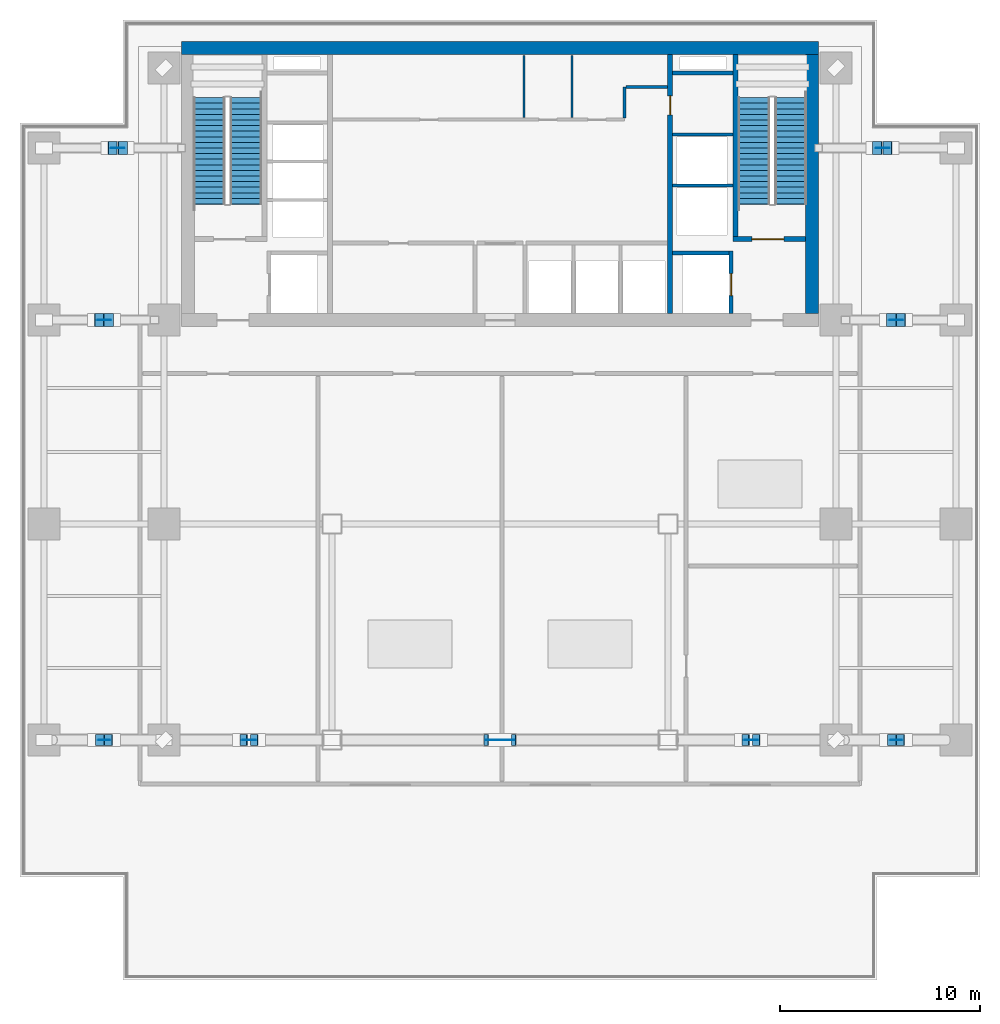
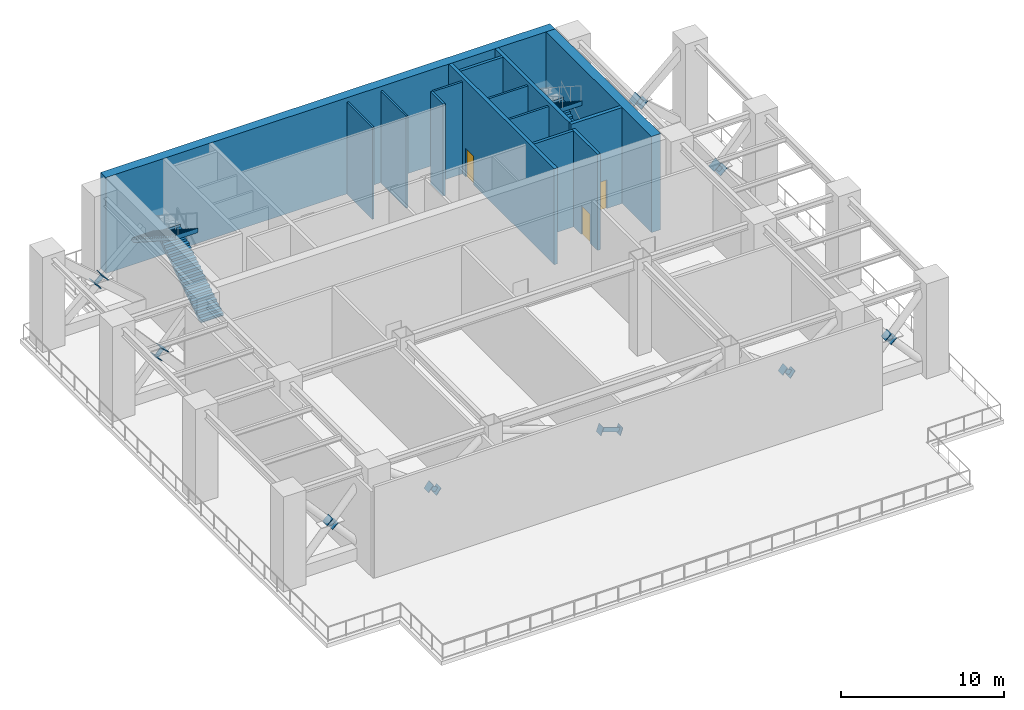
# One storey, part 4 of 8: 27 discrete accessories, 14 walls, 4 stair flights, 3 doors, 3 openings, 2 elements without a shape of their own.
"""IFC4 building model written with IfcOpenShell, lengths in metres."""

import ifcopenshell
import ifcopenshell.guid

model = None  # the IFC model being written
_history = None  # IfcOwnerHistory: only IFC2X3 demands one
_inside = {}  # id of a spatial element -> (the spatial element, [elements in it])
_under = {}  # id of a project, library or spatial element -> (it, [spatial elements below it])
_declared = {}  # id of a project -> (the project, [libraries it declares])
_typed = {}  # id of a type object -> (the type object, [elements of that type])
_made_of = {}  # id of a material, layer set ... -> (it, [elements and type objects made of it])


def new_model(schema):
    """Start an empty IFC model of exactly this schema.

    Asked for "IFC4X3", IfcOpenShell would pick the latest addendum, in which some entities
    have other attributes; the version numbers below select the first issue.
    IFC2X3 requires an IfcOwnerHistory on every rooted entity: one is made here for all.
    """
    global model, _history
    if schema == "IFC4X3":
        model = ifcopenshell.file(schema_version=(4, 3, 0, 0))
    else:
        model = ifcopenshell.file(schema=schema)
    _inside.clear()
    _under.clear()
    _declared.clear()
    _typed.clear()
    _made_of.clear()
    _history = None
    if model.schema == "IFC2X3":
        org = make("IfcOrganization", Name="unknown")
        user = make(
            "IfcPersonAndOrganization",
            ThePerson=make("IfcPerson", FamilyName="unknown"),
            TheOrganization=org,
        )
        app = make(
            "IfcApplication",
            ApplicationDeveloper=org,
            Version="unknown",
            ApplicationFullName="unknown",
            ApplicationIdentifier="unknown",
        )
        _history = make(
            "IfcOwnerHistory",
            OwningUser=user,
            OwningApplication=app,
            ChangeAction="ADDED",
            CreationDate=0,
        )
    return model


def make(cls, **values):
    """One entity of the class cls with the attributes given. An attribute that is None is left unset."""
    return model.create_entity(
        cls, **{name: value for name, value in values.items() if value is not None}
    )


def rooted(cls, **values):
    """An entity with a GlobalId (a new one), such as an element, a storey or a relation."""
    return make(cls, GlobalId=ifcopenshell.guid.new(), OwnerHistory=_history, **values)


def si_unit(unit_type, name, prefix=None):
    """IfcSIUnit, for example si_unit("LENGTHUNIT", "METRE", prefix="MILLI")."""
    return make("IfcSIUnit", UnitType=unit_type, Prefix=prefix, Name=name)


def assignment(units):
    """IfcUnitAssignment: the units of a project."""
    return None if units is None else make("IfcUnitAssignment", Units=units)


def point(xyz):
    """IfcCartesianPoint."""
    return None if xyz is None else make("IfcCartesianPoint", Coordinates=xyz)


def direction(xyz):
    """IfcDirection."""
    return None if xyz is None else make("IfcDirection", DirectionRatios=xyz)


def frame(location, z_axis=None, x_axis=None):
    """IfcAxis2Placement3D, a coordinate frame: its origin and axes. An axis left out is left unset."""
    return make(
        "IfcAxis2Placement3D",
        Location=point(location),
        Axis=direction(z_axis),
        RefDirection=direction(x_axis),
    )


def frame_2d(location, x_axis=None):
    """IfcAxis2Placement2D, a coordinate frame in the plane: its origin and x axis."""
    return make(
        "IfcAxis2Placement2D", Location=point(location), RefDirection=direction(x_axis)
    )


def origin():
    """The frame at (0, 0, 0) with its axes left unset."""
    return frame((0.0, 0.0, 0.0))


def origin_2d():
    """The frame at (0, 0) in the plane with its x axis left unset."""
    return frame_2d((0.0, 0.0))


def place(relative_to, where):
    """IfcLocalPlacement: puts the frame where relative to a parent placement (None: the world)."""
    return make(
        "IfcLocalPlacement", PlacementRelTo=relative_to, RelativePlacement=where
    )


def context(
    kind, dimensions, precision=None, world=None, true_north=None, identifier=None
):
    """IfcGeometricRepresentationContext, for example the 3D "Model" context."""
    return make(
        "IfcGeometricRepresentationContext",
        ContextIdentifier=identifier,
        ContextType=kind,
        CoordinateSpaceDimension=dimensions,
        Precision=precision,
        WorldCoordinateSystem=world,
        TrueNorth=true_north,
    )


def subcontext(parent, identifier, kind, view, scale=None):
    """IfcGeometricRepresentationSubContext, for example "Body" below "Model"."""
    return make(
        "IfcGeometricRepresentationSubContext",
        ContextIdentifier=identifier,
        ContextType=kind,
        ParentContext=parent,
        TargetScale=scale,
        TargetView=view,
    )


def project(units=None, contexts=None):
    """IfcProject with its units and contexts."""
    return rooted(
        "IfcProject",
        Name="project",
        RepresentationContexts=contexts,
        UnitsInContext=assignment(units),
    )


def spatial(cls, under=None, at=None, **own):
    """A site, building, storey or space (cls), placed at a placement, below another one or the project."""
    s = rooted(cls, ObjectPlacement=at, **own)
    if under is not None:
        _under.setdefault(under.id(), (under, []))[1].append(s)
    return s


def polyline(points):
    """IfcPolyline through the points."""
    return make("IfcPolyline", Points=[point(p) for p in points])


def profile(cls, at=None, kind="AREA", **sizes):
    """A parametric profile (cls). Its sizes go by their IFC names, for example OverallWidth=200.0."""
    return make(cls, ProfileType=kind, Position=at, **sizes)


def rectangle(**sizes):
    """IfcRectangleProfileDef."""
    return profile("IfcRectangleProfileDef", **sizes)


def outline(outer, holes=None, kind="AREA"):
    """IfcArbitraryClosedProfileDef: a profile drawn as a closed curve; with holes, ...WithVoids."""
    if holes is None:
        return make("IfcArbitraryClosedProfileDef", ProfileType=kind, OuterCurve=outer)
    return make(
        "IfcArbitraryProfileDefWithVoids",
        ProfileType=kind,
        OuterCurve=outer,
        InnerCurves=holes,
    )


def extrude(swept, where, along, depth):
    """IfcExtrudedAreaSolid: the profile swept, set in the frame where, extruded along a direction by depth."""
    return make(
        "IfcExtrudedAreaSolid",
        SweptArea=swept,
        Position=where,
        ExtrudedDirection=direction(along),
        Depth=depth,
    )


def shape(context_of_items, identifier, shape_type, items):
    """IfcShapeRepresentation: the items that make up one representation, for example the "Body"."""
    return make(
        "IfcShapeRepresentation",
        ContextOfItems=context_of_items,
        RepresentationIdentifier=identifier,
        RepresentationType=shape_type,
        Items=items,
    )


def source(mapping_origin, context_of_items, identifier, shape_type, items):
    """IfcRepresentationMap: a shape defined once, which mapped items show again and again."""
    return make(
        "IfcRepresentationMap",
        MappingOrigin=mapping_origin,
        MappedRepresentation=shape(context_of_items, identifier, shape_type, items),
    )


def transform(
    local_origin,
    x_axis=None,
    y_axis=None,
    z_axis=None,
    scale=None,
    scale2=None,
    scale3=None,
    uniform=True,
):
    """IfcCartesianTransformationOperator3D, or its non-uniform kind. x_axis, y_axis, z_axis: its Axis1, 2, 3."""
    if uniform:
        return make(
            "IfcCartesianTransformationOperator3D",
            Axis1=direction(x_axis),
            Axis2=direction(y_axis),
            LocalOrigin=point(local_origin),
            Scale=scale,
            Axis3=direction(z_axis),
        )
    return make(
        "IfcCartesianTransformationOperator3DnonUniform",
        Axis1=direction(x_axis),
        Axis2=direction(y_axis),
        LocalOrigin=point(local_origin),
        Scale=scale,
        Axis3=direction(z_axis),
        Scale2=scale2,
        Scale3=scale3,
    )


def mapped(mapping_source, mapping_target):
    """IfcMappedItem: shows the shape of a source again, moved by a transform."""
    return make(
        "IfcMappedItem", MappingSource=mapping_source, MappingTarget=mapping_target
    )


def material(Name=None, Category=None):
    """IfcMaterial."""
    return make("IfcMaterial", Name=Name, Category=Category)


def layer(
    of_material, thickness, ventilated=None, Name=None, Category=None, Priority=None
):
    """IfcMaterialLayer: one layer of a wall or slab, of a material (None: an air gap)."""
    return make(
        "IfcMaterialLayer",
        Material=of_material,
        LayerThickness=thickness,
        IsVentilated=ventilated,
        Name=Name,
        Category=Category,
        Priority=Priority,
    )


def layer_set(layers, Name=None):
    """IfcMaterialLayerSet."""
    return make("IfcMaterialLayerSet", MaterialLayers=layers, LayerSetName=Name)


def made_of(thing, what):
    """Note that an element or type object is made of a material, layer set ...; save() writes the relation."""
    if what is not None:
        _made_of.setdefault(what.id(), (what, []))[1].append(thing)
    return thing


def type_object(cls, material=None, **own):
    """A type object (cls), such as IfcWallType, which elements share."""
    return made_of(rooted(cls, **own), material)


def element(
    cls,
    number,
    at=None,
    inside=None,
    cuts=None,
    type_object=None,
    material=None,
    context=None,
    identifier="Body",
    shape_type=None,
    held_by="IfcProductDefinitionShape",
    body=None,
    shapes=None,
    **own,
):
    """One element of the class cls, such as IfcWall. Its Tag is "e" and its number.

    at: its placement. inside: the storey or other place that contains it. cuts: it is an
    opening in that element (IfcRelVoidsElement). A single representation is given by context,
    identifier, shape_type and body (its items); several are given by shapes. held_by: the class
    of the entity that holds the representations. save() writes the other relations.
    """
    e = rooted(cls, Tag="e%d" % number, ObjectPlacement=at, **own)
    if body is not None:
        shapes = [shape(context, identifier, shape_type, body)]
    if shapes is not None:
        e.Representation = make(held_by, Representations=shapes)
    if inside is not None:
        _inside.setdefault(inside.id(), (inside, []))[1].append(e)
    if cuts is not None:
        rooted(
            "IfcRelVoidsElement", RelatingBuildingElement=cuts, RelatedOpeningElement=e
        )
    if type_object is not None:
        _typed.setdefault(type_object.id(), (type_object, []))[1].append(e)
    return made_of(e, material)


def fill(opening, filler):
    """IfcRelFillsElement: the door or window that sits in an opening."""
    return rooted(
        "IfcRelFillsElement",
        RelatingOpeningElement=opening,
        RelatedBuildingElement=filler,
    )


def aggregate(whole, parts):
    """IfcRelAggregates: a whole, such as a stair, and the parts it consists of."""
    return rooted("IfcRelAggregates", RelatingObject=whole, RelatedObjects=parts)


def save(model, path):
    """Write the relations noted so far, then the file.

    IfcRelAggregates (storeys below a building ...), IfcRelContainedInSpatialStructure (elements
    in a storey), IfcRelDefinesByType, IfcRelAssociatesMaterial and IfcRelDeclares: one each for
    every whole, place, type object, material and project.
    """
    for whole, parts in _under.values():
        aggregate(whole, parts)
    for where, things in _inside.values():
        rooted(
            "IfcRelContainedInSpatialStructure",
            RelatedElements=things,
            RelatingStructure=where,
        )
    for kind, things in _typed.values():
        rooted("IfcRelDefinesByType", RelatedObjects=things, RelatingType=kind)
    for what, things in _made_of.values():
        rooted("IfcRelAssociatesMaterial", RelatedObjects=things, RelatingMaterial=what)
    for by, libraries in _declared.values():
        rooted("IfcRelDeclares", RelatingContext=by, RelatedDefinitions=libraries)
    model.write(path)


model = new_model("IFC4")

# Units and contexts
model_context = context("Model", 3, precision=1e-05, world=origin(), true_north=direction((0.0, 1.0)))
body_context = subcontext(model_context, "Body", "Model", "MODEL_VIEW")
ifc_project = project(units=[si_unit("LENGTHUNIT", "METRE"), si_unit("AREAUNIT", "SQUARE_METRE"), si_unit("VOLUMEUNIT", "CUBIC_METRE"), si_unit("PLANEANGLEUNIT", "RADIAN"), si_unit("MASSUNIT", "GRAM", prefix="KILO")], contexts=[model_context])

# Site, building, storey
site_placement = place(None, origin())
site = spatial("IfcSite", under=ifc_project, at=site_placement, CompositionType="ELEMENT")
building_placement = place(site_placement, origin())
building = spatial("IfcBuilding", under=site, at=building_placement, Name="Sumidabori Civic Tower", CompositionType="ELEMENT")
storey_placement = place(building_placement, frame((0.0, 0.0, 189.199951171875)))
storey = spatial("IfcBuildingStorey", under=building, at=storey_placement, Name="L49", CompositionType="ELEMENT", Elevation=189.199951171875)

# Walls
ifc_material_1 = material(Name="Concrete C60/75", Category="concrete")
ifc_layer_1 = layer(ifc_material_1, 0.64990234375, Name="Concrete C60/75")
ifc_layer_set_1 = layer_set([ifc_layer_1], Name="Concrete C60/75")
wall_type_1 = type_object("IfcWallType", Name="WL-CORE-650", PredefinedType="SHEAR", material=ifc_layer_set_1)
shared_shape_1 = source(origin(), body_context, "Body", "SweptSolid", [
    extrude(rectangle(XDim=31.85009765625, YDim=0.64990234375, at=frame_2d((15.925048828125, 0.0))), origin(), (0.0, 0.0, 1.0), 7.199951171875),
])
wall_1_placement = place(storey_placement, frame((-15.925048828125, 23.800048828125, 0.0), z_axis=(0.0, 0.0, 1.0), x_axis=(1.0, 0.0, 0.0)))
element("IfcWall", 1, at=wall_1_placement, inside=storey, type_object=wall_type_1, Name="Core Shear Wall L49 N", PredefinedType="SHEAR", context=body_context, shape_type="MappedRepresentation", body=[
    mapped(shared_shape_1, transform((0.0, 0.0, 0.0), x_axis=(1.0, 0.0, 0.0), y_axis=(0.0, 1.0, 0.0), z_axis=(0.0, 0.0, 1.0), scale=1.0)),
])
shared_shape_2 = source(origin(), body_context, "Body", "SweptSolid", [
    extrude(rectangle(XDim=12.9501953125, YDim=0.64990234375, at=frame_2d((6.47509765625, 0.0))), origin(), (0.0, 0.0, 1.0), 7.199951171875),
])
wall_2_placement = place(storey_placement, frame((15.60009765625, 10.52490234375, 0.0), z_axis=(0.0, 0.0, 1.0), x_axis=(0.0, 1.0, 0.0)))
element("IfcWall", 2, at=wall_2_placement, inside=storey, type_object=wall_type_1, Name="Core Shear Wall L49 E", PredefinedType="SHEAR", context=body_context, shape_type="MappedRepresentation", body=[
    mapped(shared_shape_2, transform((0.0, 0.0, 0.0), x_axis=(1.0, 0.0, 0.0), y_axis=(0.0, 1.0, 0.0), z_axis=(0.0, 0.0, 1.0), scale=1.0)),
])

# Wall, opening, door
ifc_material_2 = material(Name="Concrete C50/60", Category="concrete")
ifc_layer_2 = layer(ifc_material_2, 0.25, Name="Concrete C50/60")
ifc_layer_set_2 = layer_set([ifc_layer_2], Name="Concrete C50/60")
wall_type_2 = type_object("IfcWallType", Name="WL-SHAFT-250", PredefinedType="SHEAR", material=ifc_layer_set_2)
shared_shape_3 = source(origin(), body_context, "Body", "SweptSolid", [
    extrude(rectangle(XDim=12.9501953125, YDim=0.25, at=frame_2d((6.47509765625, 0.0))), origin(), (0.0, 0.0, 1.0), 7.199951171875),
])
wall_3_placement = place(storey_placement, frame((8.5, 10.52490234375, 0.0), z_axis=(0.0, 0.0, 1.0), x_axis=(0.0, 1.0, 0.0)))
wall_3 = element("IfcWall", 3, at=wall_3_placement, inside=storey, type_object=wall_type_2, Name="Core Shear Wall L49 WEB-E", PredefinedType="SHEAR", context=body_context, shape_type="MappedRepresentation", body=[
    mapped(shared_shape_3, transform((0.0, 0.0, 0.0), x_axis=(1.0, 0.0, 0.0), y_axis=(0.0, 1.0, 0.0), z_axis=(0.0, 0.0, 1.0), scale=1.0)),
])
opening_1_placement = place(wall_3_placement, frame((9.925048828125, 0.0, 0.0)))
opening_1 = element("IfcOpeningElement", 4, at=opening_1_placement, cuts=wall_3, Name="Opening DR-2", PredefinedType="OPENING", context=body_context, shape_type="SweptSolid", body=[
    extrude(rectangle(XDim=0.949951171875, YDim=2.14990234375, at=frame_2d((0.47509765625, 1.074951171875))), frame((0.0, 0.136962890625, 0.0), z_axis=(0.0, -1.0, 0.0), x_axis=(1.0, 0.0, 0.0)), (0.0, 0.0, 1.0), 0.27392578125),
])
ifc_material_3 = material(Name="Japanese Hinoki Timber", Category="wood")
door_type_1 = type_object("IfcDoorType", Name="DR-INT-950", OperationType="NOTDEFINED", PredefinedType="DOOR", material=ifc_material_3)
shared_shape_4 = source(origin(), body_context, "Body", "SweptSolid", [
    extrude(rectangle(XDim=0.949951171875, YDim=2.14990234375, at=frame_2d((0.47509765625, 1.074951171875))), frame((0.0, 0.02490234375, 0.0), z_axis=(0.0, -1.0, 0.0), x_axis=(1.0, 0.0, 0.0)), (0.0, 0.0, 1.0), 0.050048828125),
])
door_1_placement = place(opening_1_placement, origin())
door_1 = element("IfcDoor", 5, at=door_1_placement, inside=storey, type_object=door_type_1, Name="Door DR:L49:WC-ACC", OperationType="SINGLE_SWING_RIGHT", OverallHeight=2.14990234375, OverallWidth=0.949951171875, PredefinedType="DOOR", context=body_context, shape_type="MappedRepresentation", body=[
    mapped(shared_shape_4, transform((0.0, 0.0, 0.0), x_axis=(1.0, 0.0, 0.0), y_axis=(0.0, 1.0, 0.0), z_axis=(0.0, 0.0, 1.0), scale=1.0)),
])
fill(opening_1, door_1)

shared_shape_5 = source(origin(), body_context, "Body", "SweptSolid", [
    extrude(rectangle(XDim=3.6298828125, YDim=0.25, at=frame_2d((1.81494140625, 0.0))), origin(), (0.0, 0.0, 1.0), 7.199951171875),
])
wall_4_placement = place(storey_placement, frame((11.64501953125, 14.25, 0.0), z_axis=(0.0, 0.0, 1.0), x_axis=(1.0, 0.0, 0.0)))
wall_4 = element("IfcWall", 6, at=wall_4_placement, inside=storey, type_object=wall_type_2, Name="Core Shear Wall L49 ST2-S", PredefinedType="SHEAR", context=body_context, shape_type="MappedRepresentation", body=[
    mapped(shared_shape_5, transform((0.0, 0.0, 0.0), x_axis=(1.0, 0.0, 0.0), y_axis=(0.0, 1.0, 0.0), z_axis=(0.0, 0.0, 1.0), scale=1.0)),
])
opening_2_placement = place(wall_4_placement, frame((0.949951171875, 0.0, 0.0)))
opening_2 = element("IfcOpeningElement", 7, at=opening_2_placement, cuts=wall_4, Name="Opening DR-FD4", PredefinedType="OPENING", context=body_context, shape_type="SweptSolid", body=[
    extrude(rectangle(XDim=1.60009765625, YDim=2.14990234375, at=frame_2d((0.800048828125, 1.074951171875))), frame((0.0, 0.136962890625, 0.0), z_axis=(0.0, -1.0, 0.0), x_axis=(1.0, 0.0, 0.0)), (0.0, 0.0, 1.0), 0.27392578125),
])
ifc_material_4 = material(Name="Steel SN490", Category="steel")
door_type_2 = type_object("IfcDoorType", Name="DR-FD4", OperationType="DOUBLE_DOOR_SINGLE_SWING", PredefinedType="DOOR", material=ifc_material_4)
shared_shape_6 = source(origin(), body_context, "Body", "SweptSolid", [
    extrude(rectangle(XDim=1.60009765625, YDim=2.14990234375, at=frame_2d((0.800048828125, 1.074951171875))), frame((0.0, 0.02490234375, 0.0), z_axis=(0.0, -1.0, 0.0), x_axis=(1.0, 0.0, 0.0)), (0.0, 0.0, 1.0), 0.050048828125),
])
door_2_placement = place(opening_2_placement, origin())
door_2 = element("IfcDoor", 8, at=door_2_placement, inside=storey, type_object=door_type_2, Name="Door DR:L49:ST2", OperationType="DOUBLE_DOOR_SINGLE_SWING", OverallHeight=2.14990234375, OverallWidth=1.60009765625, PredefinedType="DOOR", context=body_context, shape_type="MappedRepresentation", body=[
    mapped(shared_shape_6, transform((0.0, 0.0, 0.0), x_axis=(1.0, 0.0, 0.0), y_axis=(0.0, 1.0, 0.0), z_axis=(0.0, 0.0, 1.0), scale=1.0)),
])
fill(opening_2, door_2)

# Wall
shared_shape_7 = source(origin(), body_context, "Body", "SweptSolid", [
    extrude(rectangle(XDim=9.10009765625, YDim=0.25, at=frame_2d((4.550048828125, 0.0))), origin(), (0.0, 0.0, 1.0), 7.199951171875),
])
wall_5_placement = place(storey_placement, frame((11.77001953125, 14.375, 0.0), z_axis=(0.0, 0.0, 1.0), x_axis=(0.0, 1.0, 0.0)))
element("IfcWall", 9, at=wall_5_placement, inside=storey, type_object=wall_type_2, Name="Core Shear Wall L49 ST2-W", PredefinedType="SHEAR", context=body_context, shape_type="MappedRepresentation", body=[
    mapped(shared_shape_7, transform((0.0, 0.0, 0.0), x_axis=(1.0, 0.0, 0.0), y_axis=(0.0, 1.0, 0.0), z_axis=(0.0, 0.0, 1.0), scale=1.0)),
])

# Wall, opening, door
ifc_layer_3 = layer(ifc_material_2, 0.199951171875, Name="Concrete C50/60")
ifc_layer_set_3 = layer_set([ifc_layer_3], Name="Concrete C50/60")
wall_type_3 = type_object("IfcWallType", Name="WL-SHAFT-200", PredefinedType="SHEAR", material=ifc_layer_set_3)
shared_shape_8 = source(origin(), body_context, "Body", "SweptSolid", [
    extrude(rectangle(XDim=3.125, YDim=0.199951171875, at=frame_2d((1.5625, 0.0))), origin(), (0.0, 0.0, 1.0), 7.199951171875),
])
wall_6_placement = place(storey_placement, frame((11.550048828125, 10.52490234375, 0.0), z_axis=(0.0, 0.0, 1.0), x_axis=(0.0, 1.0, 0.0)))
wall_6 = element("IfcWall", 10, at=wall_6_placement, inside=storey, type_object=wall_type_3, Name="Core Shear Wall L49 EL2-E", PredefinedType="SHEAR", context=body_context, shape_type="MappedRepresentation", body=[
    mapped(shared_shape_8, transform((0.0, 0.0, 0.0), x_axis=(1.0, 0.0, 0.0), y_axis=(0.0, 1.0, 0.0), z_axis=(0.0, 0.0, 1.0), scale=1.0)),
])
opening_3_placement = place(wall_6_placement, frame((0.89990234375, 0.0, 0.0)))
opening_3 = element("IfcOpeningElement", 11, at=opening_3_placement, cuts=wall_6, Name="Opening LD-2", PredefinedType="OPENING", context=body_context, shape_type="SweptSolid", body=[
    extrude(rectangle(XDim=1.10009765625, YDim=2.14990234375, at=frame_2d((0.550048828125, 1.074951171875))), frame((0.0, 0.11181640625, 0.0), z_axis=(0.0, -1.0, 0.0), x_axis=(1.0, 0.0, 0.0)), (0.0, 0.0, 1.0), 0.223876953125),
])
ifc_material_5 = material(Name="Stainless Steel Hairline Finish", Category="steel")
door_type_3 = type_object("IfcDoorType", Name="DR-LD2", OperationType="DOUBLE_DOOR_SLIDING", PredefinedType="DOOR", material=ifc_material_5)
shared_shape_9 = source(origin(), body_context, "Body", "SweptSolid", [
    extrude(rectangle(XDim=1.10009765625, YDim=2.14990234375, at=frame_2d((0.550048828125, 1.074951171875))), frame((0.0, 0.02490234375, 0.0), z_axis=(0.0, -1.0, 0.0), x_axis=(1.0, 0.0, 0.0)), (0.0, 0.0, 1.0), 0.050048828125),
])
door_3_placement = place(opening_3_placement, origin())
door_3 = element("IfcDoor", 12, at=door_3_placement, inside=storey, type_object=door_type_3, Name="Door DR:L49:LD-EL2", OperationType="DOUBLE_DOOR_SLIDING", OverallHeight=2.14990234375, OverallWidth=1.10009765625, PredefinedType="DOOR", context=body_context, shape_type="MappedRepresentation", body=[
    mapped(shared_shape_9, transform((0.0, 0.0, 0.0), x_axis=(1.0, 0.0, 0.0), y_axis=(0.0, 1.0, 0.0), z_axis=(0.0, 0.0, 1.0), scale=1.0)),
])
fill(opening_3, door_3)

# Walls
shared_shape_10 = source(origin(), body_context, "Body", "SweptSolid", [
    extrude(rectangle(XDim=2.824951171875, YDim=0.199951171875, at=frame_2d((1.41259765625, 0.0))), origin(), (0.0, 0.0, 1.0), 7.199951171875),
])
wall_7_placement = place(storey_placement, frame((8.625, 13.550048828125, 0.0), z_axis=(0.0, 0.0, 1.0), x_axis=(1.0, 0.0, 0.0)))
element("IfcWall", 13, at=wall_7_placement, inside=storey, type_object=wall_type_3, Name="Core Shear Wall L49 EL2-N", PredefinedType="SHEAR", context=body_context, shape_type="MappedRepresentation", body=[
    mapped(shared_shape_10, transform((0.0, 0.0, 0.0), x_axis=(1.0, 0.0, 0.0), y_axis=(0.0, 1.0, 0.0), z_axis=(0.0, 0.0, 1.0), scale=1.0)),
])
shared_shape_11 = source(origin(), body_context, "Body", "SweptSolid", [
    extrude(rectangle(XDim=3.02001953125, YDim=0.199951171875, at=frame_2d((1.510009765625, 0.0))), origin(), (0.0, 0.0, 1.0), 7.199951171875),
])
wall_8_placement = place(storey_placement, frame((8.625, 22.550048828125, 0.0), z_axis=(0.0, 0.0, 1.0), x_axis=(1.0, 0.0, 0.0)))
element("IfcWall", 14, at=wall_8_placement, inside=storey, type_object=wall_type_3, Name="Core Shear Wall L49 RIS2-S", PredefinedType="SHEAR", context=body_context, shape_type="MappedRepresentation", body=[
    mapped(shared_shape_11, transform((0.0, 0.0, 0.0), x_axis=(1.0, 0.0, 0.0), y_axis=(0.0, 1.0, 0.0), z_axis=(0.0, 0.0, 1.0), scale=1.0)),
])
ifc_material_6 = material(Name="Gypsum Plasterboard Acoustic Partition")
ifc_layer_4 = layer(ifc_material_6, 0.14990234375, Name="Gypsum Plasterboard Acoustic Partition")
ifc_layer_set_4 = layer_set([ifc_layer_4], Name="Gypsum Plasterboard Acoustic Partition")
wall_type_4 = type_object("IfcWallType", Name="WL-PART-150", PredefinedType="PARTITIONING", material=ifc_layer_set_4)
shared_shape_12 = source(origin(), body_context, "Body", "SweptSolid", [
    extrude(rectangle(XDim=3.010009765625, YDim=0.14990234375, at=frame_2d((1.5048828125, 0.0))), origin(), (0.0, 0.0, 1.0), 6.900146484375),
])
for number, where, z_axis, x_axis, name in (
    (15, (8.6298828125, 16.919921875, 0.0), (0.0, 0.0, 1.0), (1.0, 0.0, 0.0), "Interior Partition WL:L49:DIV-OBS1"),
    (16, (8.6298828125, 19.469970703125, 0.0), (0.0, 0.0, 1.0), (1.0, 0.0, 0.0), "Interior Partition WL:L49:DIV-OBS2"),
):
    element("IfcWall", number, at=place(storey_placement, frame(where, z_axis=z_axis, x_axis=x_axis)), inside=storey, type_object=wall_type_4, Name=name, PredefinedType="PARTITIONING", context=body_context, shape_type="MappedRepresentation", body=[
        mapped(shared_shape_12, transform((0.0, 0.0, 0.0), x_axis=(1.0, 0.0, 0.0), y_axis=(0.0, 1.0, 0.0), z_axis=(0.0, 0.0, 1.0), scale=1.0)),
    ])
shared_shape_13 = source(origin(), body_context, "Body", "SweptSolid", [
    extrude(rectangle(XDim=1.550048828125, YDim=0.14990234375, at=frame_2d((0.77490234375, 0.0))), origin(), (0.0, 0.0, 1.0), 6.900146484375),
])
wall_9_placement = place(storey_placement, frame((6.219970703125, 20.300048828125, 0.0), z_axis=(0.0, 0.0, 1.0), x_axis=(0.0, 1.0, 0.0)))
element("IfcWall", 17, at=wall_9_placement, inside=storey, type_object=wall_type_4, Name="Interior Partition WL:L49:CBAND-ME1", PredefinedType="PARTITIONING", context=body_context, shape_type="MappedRepresentation", body=[
    mapped(shared_shape_13, transform((0.0, 0.0, 0.0), x_axis=(1.0, 0.0, 0.0), y_axis=(0.0, 1.0, 0.0), z_axis=(0.0, 0.0, 1.0), scale=1.0)),
])
shared_shape_14 = source(origin(), body_context, "Body", "SweptSolid", [
    extrude(rectangle(XDim=2.070068359375, YDim=0.14990234375, at=frame_2d((1.03515625, 0.0))), origin(), (0.0, 0.0, 1.0), 6.900146484375),
])
wall_10_placement = place(storey_placement, frame((6.300048828125, 21.85009765625, 0.0), z_axis=(0.0, 0.0, 1.0), x_axis=(1.0, 0.0, 0.0)))
element("IfcWall", 18, at=wall_10_placement, inside=storey, type_object=wall_type_4, Name="Interior Partition WL:L49:CBAND-ME2", PredefinedType="PARTITIONING", context=body_context, shape_type="MappedRepresentation", body=[
    mapped(shared_shape_14, transform((0.0, 0.0, 0.0), x_axis=(1.0, 0.0, 0.0), y_axis=(0.0, 1.0, 0.0), z_axis=(0.0, 0.0, 1.0), scale=1.0)),
])
ifc_layer_5 = layer(ifc_material_6, 0.1201171875, Name="Gypsum Plasterboard Acoustic Partition")
ifc_layer_set_5 = layer_set([ifc_layer_5], Name="Gypsum Plasterboard Acoustic Partition")
wall_type_5 = type_object("IfcWallType", Name="WL-PART-120", PredefinedType="PARTITIONING", material=ifc_layer_set_5)
shared_shape_15 = source(origin(), body_context, "Body", "SweptSolid", [
    extrude(rectangle(XDim=3.114990234375, YDim=0.1201171875, at=frame_2d((1.5576171875, 0.0))), origin(), (0.0, 0.0, 1.0), 6.900146484375),
])
for number, where, z_axis, x_axis, name in (
    (19, (1.199951171875, 20.320068359375, 0.0), (0.0, 0.0, 1.0), (0.0, 1.0, 0.0), "Interior Partition WL:L49:LV8-S1"),
    (20, (3.60009765625, 20.320068359375, 0.0), (0.0, 0.0, 1.0), (0.0, 1.0, 0.0), "Interior Partition WL:L49:LV8-S2"),
):
    element("IfcWall", number, at=place(storey_placement, frame(where, z_axis=z_axis, x_axis=x_axis)), inside=storey, type_object=wall_type_5, Name=name, PredefinedType="PARTITIONING", context=body_context, shape_type="MappedRepresentation", body=[
        mapped(shared_shape_15, transform((0.0, 0.0, 0.0), x_axis=(1.0, 0.0, 0.0), y_axis=(0.0, 1.0, 0.0), z_axis=(0.0, 0.0, 1.0), scale=1.0)),
    ])

# Stair, stair flights
ifc_material_7 = material(Name="Concrete C40/50", Category="concrete")
stair_type = type_object("IfcStairType", Name="ST-CORE-1600", PredefinedType="HALF_TURN_STAIR", material=ifc_material_7)
stair_1_placement = place(storey_placement, origin())
stair_1 = element("IfcStair", 21, at=stair_1_placement, inside=storey, type_object=stair_type, Name="L49 ST-1", PredefinedType="HALF_TURN_STAIR")
stair_flight_type = type_object("IfcStairFlightType", Name="SF-CORE-1600", PredefinedType="STRAIGHT", material=ifc_material_7)
shared_shape_16 = source(origin(), body_context, "Body", "SweptSolid", [
    extrude(outline(polyline([(-0.02490234375, 0.0), (-0.02490234375, 0.0400390625), (0.0, 0.0400390625), (0.0, 0.179931640625), (0.280029296875, 0.179931640625), (0.280029296875, 0.360107421875), (0.56005859375, 0.360107421875), (0.56005859375, 0.5400390625), (0.840087890625, 0.5400390625), (0.840087890625, 0.719970703125), (1.1201171875, 0.719970703125), (1.1201171875, 0.89990234375), (1.39990234375, 0.89990234375), (1.39990234375, 1.080078125), (1.679931640625, 1.080078125), (1.679931640625, 1.260009765625), (1.9599609375, 1.260009765625), (1.9599609375, 1.43994140625), (2.239990234375, 1.43994140625), (2.239990234375, 1.6201171875), (2.52001953125, 1.6201171875), (2.52001953125, 1.800048828125), (2.800048828125, 1.800048828125), (2.800048828125, 1.97998046875), (3.080078125, 1.97998046875), (3.080078125, 2.159912109375), (3.360107421875, 2.159912109375), (3.360107421875, 2.340087890625), (3.639892578125, 2.340087890625), (3.639892578125, 2.52001953125), (3.919921875, 2.52001953125), (3.919921875, 2.699951171875), (4.199951171875, 2.699951171875), (4.199951171875, 2.8798828125), (4.47998046875, 2.8798828125), (4.47998046875, 3.06005859375), (4.760009765625, 3.06005859375), (4.760009765625, 3.239990234375), (5.0400390625, 3.239990234375), (5.0400390625, 3.419921875), (5.320068359375, 3.419921875), (5.320068359375, 3.60009765625), (5.344970703125, 3.60009765625), (5.344970703125, 3.4501953125), (5.320068359375, 3.24169921875), (0.277099609375, 0.0), (-0.02490234375, 0.0)])), frame((0.0, 0.800048828125, 0.0), z_axis=(0.0, -1.0, 0.0), x_axis=(1.0, 0.0, 0.0)), (0.0, 0.0, 1.0), 1.60009765625),
])
stair_flight_1_placement = place(storey_placement, frame((-12.699951171875, 16.0, 0.0), z_axis=(0.0, 0.0, 1.0), x_axis=(0.0, 1.0, 0.0)))
stair_flight_1 = element("IfcStairFlight", 22, at=stair_flight_1_placement, type_object=stair_flight_type, Name="ST-1 flight 1", NumberOfRisers=20, NumberOfTreads=19, PredefinedType="STRAIGHT", RiserHeight=0.18, TreadLength=0.28, context=body_context, shape_type="MappedRepresentation", body=[
    mapped(shared_shape_16, transform((0.0, 0.0, 0.0), x_axis=(1.0, 0.0, 0.0), y_axis=(0.0, 1.0, 0.0), z_axis=(0.0, 0.0, 1.0), scale=1.0)),
])
stair_flight_2_placement = place(storey_placement, frame((-14.5400390625, 21.320068359375, 3.60009765625), z_axis=(0.0, 0.0, 1.0), x_axis=(0.0, -1.0, 0.0)))
stair_flight_2 = element("IfcStairFlight", 23, at=stair_flight_2_placement, type_object=stair_flight_type, Name="ST-1 flight 2", NumberOfRisers=20, NumberOfTreads=19, PredefinedType="STRAIGHT", RiserHeight=0.18, TreadLength=0.28, context=body_context, shape_type="MappedRepresentation", body=[
    mapped(shared_shape_16, transform((0.0, 0.0, 0.0), x_axis=(1.0, 0.0, 0.0), y_axis=(0.0, 1.0, 0.0), z_axis=(0.0, 0.0, 1.0), scale=1.0)),
])
aggregate(stair_1, [stair_flight_1, stair_flight_2])

stair_2_placement = place(storey_placement, origin())
stair_2 = element("IfcStair", 24, at=stair_2_placement, inside=storey, type_object=stair_type, Name="L49 ST-2", PredefinedType="HALF_TURN_STAIR")
stair_flight_3_placement = place(storey_placement, frame((14.5400390625, 16.0, 0.0), z_axis=(0.0, 0.0, 1.0), x_axis=(0.0, 1.0, 0.0)))
stair_flight_3 = element("IfcStairFlight", 25, at=stair_flight_3_placement, type_object=stair_flight_type, Name="ST-2 flight 1", NumberOfRisers=20, NumberOfTreads=19, PredefinedType="STRAIGHT", RiserHeight=0.18, TreadLength=0.28, context=body_context, shape_type="MappedRepresentation", body=[
    mapped(shared_shape_16, transform((0.0, 0.0, 0.0), x_axis=(1.0, 0.0, 0.0), y_axis=(0.0, 1.0, 0.0), z_axis=(0.0, 0.0, 1.0), scale=1.0)),
])
stair_flight_4_placement = place(storey_placement, frame((12.699951171875, 21.320068359375, 3.60009765625), z_axis=(0.0, 0.0, 1.0), x_axis=(0.0, -1.0, 0.0)))
stair_flight_4 = element("IfcStairFlight", 26, at=stair_flight_4_placement, type_object=stair_flight_type, Name="ST-2 flight 2", NumberOfRisers=20, NumberOfTreads=19, PredefinedType="STRAIGHT", RiserHeight=0.18, TreadLength=0.28, context=body_context, shape_type="MappedRepresentation", body=[
    mapped(shared_shape_16, transform((0.0, 0.0, 0.0), x_axis=(1.0, 0.0, 0.0), y_axis=(0.0, 1.0, 0.0), z_axis=(0.0, 0.0, 1.0), scale=1.0)),
])
aggregate(stair_2, [stair_flight_3, stair_flight_4])

# Discrete accessories
ifc_layer_6 = layer(ifc_material_4, 0.028076171875, Name="Steel SN490")
ifc_layer_set_6 = layer_set([ifc_layer_6], Name="Steel SN490")
discrete_accessory_type_1 = type_object("IfcDiscreteAccessoryType", Name="AC-CAP-SN490", PredefinedType="USERDEFINED", material=ifc_layer_set_6)
shared_shape_17 = source(origin(), body_context, "Body", "SweptSolid", [
    extrude(rectangle(XDim=0.568115234375, YDim=0.568115234375, at=origin_2d()), origin(), (0.0, 0.0, 1.0), 0.0400390625),
])
for number, where, z_axis, x_axis, name in (
    (27, (-20.0029296875, -10.800048828125, 3.75244140625), (0.666258670845, 0.0, -0.745720714157), (0.0, 1.0, 0.0), "Hollow Section End Cap Plate XND-BT-1 Lower"),
    (28, (-19.59716796875, -10.800048828125, 3.297607421875), (-0.666258670845, 0.0, 0.745720714157), (0.0, -1.0, 0.0), "Hollow Section End Cap Plate XND-BT-1 Upper"),
    (29, (-12.837646484375, -10.800048828125, 3.74072265625), (0.797802225535, 0.0, -0.602919239145), (0.0, 1.0, 0.0), "Hollow Section End Cap Plate XND-BT-2 Lower"),
    (30, (-12.26220703125, -10.800048828125, 3.3095703125), (-0.800732897989, 0.0, 0.599021557274), (0.0, -1.0, 0.0), "Hollow Section End Cap Plate XND-BT-2 Upper"),
    (31, (-0.705810546875, -10.800048828125, 3.773681640625), (0.942427745481, 0.0, -0.334409845171), (0.0, 1.0, 0.0), "Hollow Section End Cap Plate XND-BT-3 Lower"),
    (32, (0.705810546875, -10.800048828125, 3.2763671875), (-0.942427745481, 0.0, 0.334409845171), (0.0, -1.0, 0.0), "Hollow Section End Cap Plate XND-BT-3 Upper"),
    (33, (12.26220703125, -10.800048828125, 3.74072265625), (0.797802225535, 0.0, -0.602919239145), (0.0, 1.0, 0.0), "Hollow Section End Cap Plate XND-BT-4 Lower"),
    (34, (12.837646484375, -10.800048828125, 3.3095703125), (-0.800732897989, 0.0, 0.599021557274), (0.0, -1.0, 0.0), "Hollow Section End Cap Plate XND-BT-4 Upper"),
    (35, (19.59716796875, -10.800048828125, 3.75244140625), (0.666258670845, 0.0, -0.745720714157), (0.0, 1.0, 0.0), "Hollow Section End Cap Plate XND-BT-5 Lower"),
    (36, (20.0029296875, -10.800048828125, 3.297607421875), (-0.666258670845, 0.0, 0.745720714157), (0.0, -1.0, 0.0), "Hollow Section End Cap Plate XND-BT-5 Upper"),
):
    element("IfcDiscreteAccessory", number, at=place(storey_placement, frame(where, z_axis=z_axis, x_axis=x_axis)), inside=storey, type_object=discrete_accessory_type_1, Name=name, ObjectType="End Cap Plate", PredefinedType="USERDEFINED", context=body_context, shape_type="MappedRepresentation", body=[
        mapped(shared_shape_17, transform((0.0, 0.0, 0.0), x_axis=(1.0, 0.0, 0.0), y_axis=(0.0, 1.0, 0.0), z_axis=(0.0, 0.0, 1.0), scale=1.0)),
    ])
ifc_layer_7 = layer(ifc_material_4, 0.0400390625, Name="Steel SN490")
ifc_layer_set_7 = layer_set([ifc_layer_7], Name="Steel SN490")
discrete_accessory_type_2 = type_object("IfcDiscreteAccessoryType", Name="AC-XND-SN490", PredefinedType="BRACKET", material=ifc_layer_set_7)
shared_shape_18 = source(origin(), body_context, "Body", "SweptSolid", [
    extrude(rectangle(XDim=0.0400390625, YDim=0.320068359375, at=origin_2d()), origin(), (0.0, 0.0, 1.0), 0.563720703125),
])
for number, where, z_axis, x_axis, name in (
    (37, (-19.987548828125, -10.800048828125, 3.7353515625), (0.665680039002, 0.0, -0.746237285101), (0.0, 1.0, 0.0), "X-Brace Crossing Gusset Node XND-BT-1"),
    (38, (19.6123046875, -10.800048828125, 3.7353515625), (0.665680039002, 0.0, -0.746237285101), (0.0, 1.0, 0.0), "X-Brace Crossing Gusset Node XND-BT-5"),
):
    element("IfcDiscreteAccessory", number, at=place(storey_placement, frame(where, z_axis=z_axis, x_axis=x_axis)), inside=storey, type_object=discrete_accessory_type_2, Name=name, PredefinedType="BRACKET", context=body_context, shape_type="MappedRepresentation", body=[
        mapped(shared_shape_18, transform((0.0, 0.0, 0.0), x_axis=(1.0, 0.0, 0.0), y_axis=(0.0, 1.0, 0.0), z_axis=(0.0, 0.0, 1.0), scale=1.0)),
    ])
shared_shape_19 = source(origin(), body_context, "Body", "SweptSolid", [
    extrude(rectangle(XDim=0.659912109375, YDim=0.659912109375, at=origin_2d()), origin(), (0.0, 0.0, 1.0), 0.0400390625),
])
for number, where, z_axis, x_axis, name in (
    (39, (-19.562744140625, 10.199951171875, 3.791015625), (-0.666258670845, 0.0, -0.745720714157), (0.0, -1.0, 0.0), "Hollow Section End Cap Plate XND-OT-W1 Lower"),
    (40, (-20.037109375, 10.199951171875, 3.259033203125), (0.663230066188, 0.0, 0.748415579277), (0.0, 1.0, 0.0), "Hollow Section End Cap Plate XND-OT-W1 Upper"),
    (41, (-18.85302734375, 18.800048828125, 3.76318359375), (-0.748415579277, 0.0, -0.663230066188), (0.0, -1.0, 0.0), "Hollow Section End Cap Plate XND-OT-W2 Lower"),
    (42, (-19.39208984375, 18.800048828125, 3.286865234375), (0.748415579277, 0.0, 0.663230066188), (0.0, 1.0, 0.0), "Hollow Section End Cap Plate XND-OT-W2 Upper"),
    (43, (19.562744140625, 10.199951171875, 3.791015625), (0.666258670845, 0.0, -0.745720714157), (0.0, 1.0, 0.0), "Hollow Section End Cap Plate XND-OT-E1 Lower"),
    (44, (20.037109375, 10.199951171875, 3.259033203125), (-0.663230066188, 0.0, 0.748415579277), (0.0, -1.0, 0.0), "Hollow Section End Cap Plate XND-OT-E1 Upper"),
    (45, (18.85302734375, 18.800048828125, 3.76318359375), (0.748415579277, 0.0, -0.663230066188), (0.0, 1.0, 0.0), "Hollow Section End Cap Plate XND-OT-E2 Lower"),
    (46, (19.39208984375, 18.800048828125, 3.286865234375), (-0.748415579277, 0.0, 0.663230066188), (0.0, -1.0, 0.0), "Hollow Section End Cap Plate XND-OT-E2 Upper"),
):
    element("IfcDiscreteAccessory", number, at=place(storey_placement, frame(where, z_axis=z_axis, x_axis=x_axis)), inside=storey, type_object=discrete_accessory_type_1, Name=name, ObjectType="End Cap Plate", PredefinedType="USERDEFINED", context=body_context, shape_type="MappedRepresentation", body=[
        mapped(shared_shape_19, transform((0.0, 0.0, 0.0), x_axis=(1.0, 0.0, 0.0), y_axis=(0.0, 1.0, 0.0), z_axis=(0.0, 0.0, 1.0), scale=1.0)),
    ])
shared_shape_20 = source(origin(), body_context, "Body", "SweptSolid", [
    extrude(rectangle(XDim=0.0400390625, YDim=0.360107421875, at=origin_2d()), origin(), (0.0, 0.0, 1.0), 0.666748046875),
])
for number, where, z_axis, x_axis, name in (
    (47, (-19.578125, 10.199951171875, 3.77392578125), (-0.665680985742, 0.0, -0.746236440562), (0.0, -1.0, 0.0), "X-Brace Crossing Gusset Node XND-OT-W1"),
    (48, (19.578125, 10.199951171875, 3.77392578125), (0.665680985742, 0.0, -0.746236440562), (0.0, 1.0, 0.0), "X-Brace Crossing Gusset Node XND-OT-E1"),
):
    element("IfcDiscreteAccessory", number, at=place(storey_placement, frame(where, z_axis=z_axis, x_axis=x_axis)), inside=storey, type_object=discrete_accessory_type_2, Name=name, PredefinedType="BRACKET", context=body_context, shape_type="MappedRepresentation", body=[
        mapped(shared_shape_20, transform((0.0, 0.0, 0.0), x_axis=(1.0, 0.0, 0.0), y_axis=(0.0, 1.0, 0.0), z_axis=(0.0, 0.0, 1.0), scale=1.0)),
    ])
shared_shape_21 = source(origin(), body_context, "Body", "SweptSolid", [
    extrude(rectangle(XDim=0.0400390625, YDim=0.360107421875, at=origin_2d()), origin(), (0.0, 0.0, 1.0), 0.67333984375),
])
for number, where, z_axis, x_axis, name in (
    (49, (-18.8701171875, 18.800048828125, 3.748046875), (-0.749446225806, 0.0, -0.662065219314), (0.0, -1.0, 0.0), "X-Brace Crossing Gusset Node XND-OT-W2"),
    (50, (18.8701171875, 18.800048828125, 3.748046875), (0.749446225806, 0.0, -0.662065219314), (0.0, 1.0, 0.0), "X-Brace Crossing Gusset Node XND-OT-E2"),
):
    element("IfcDiscreteAccessory", number, at=place(storey_placement, frame(where, z_axis=z_axis, x_axis=x_axis)), inside=storey, type_object=discrete_accessory_type_2, Name=name, PredefinedType="BRACKET", context=body_context, shape_type="MappedRepresentation", body=[
        mapped(shared_shape_21, transform((0.0, 0.0, 0.0), x_axis=(1.0, 0.0, 0.0), y_axis=(0.0, 1.0, 0.0), z_axis=(0.0, 0.0, 1.0), scale=1.0)),
    ])
shared_shape_22 = source(origin(), body_context, "Body", "SweptSolid", [
    extrude(rectangle(XDim=0.0400390625, YDim=0.320068359375, at=origin_2d()), origin(), (0.0, 0.0, 1.0), 0.673095703125),
])
for number, where, z_axis, x_axis, name in (
    (51, (-12.8193359375, -10.800048828125, 3.726806640625), (0.800261115497, 0.0, -0.599651688085), (0.0, 1.0, 0.0), "X-Brace Crossing Gusset Node XND-BT-2"),
    (52, (12.28076171875, -10.800048828125, 3.726806640625), (0.800261115497, 0.0, -0.599651688085), (0.0, 1.0, 0.0), "X-Brace Crossing Gusset Node XND-BT-4"),
):
    element("IfcDiscreteAccessory", number, at=place(storey_placement, frame(where, z_axis=z_axis, x_axis=x_axis)), inside=storey, type_object=discrete_accessory_type_2, Name=name, PredefinedType="BRACKET", context=body_context, shape_type="MappedRepresentation", body=[
        mapped(shared_shape_22, transform((0.0, 0.0, 0.0), x_axis=(1.0, 0.0, 0.0), y_axis=(0.0, 1.0, 0.0), z_axis=(0.0, 0.0, 1.0), scale=1.0)),
    ])
shared_shape_23 = source(origin(), body_context, "Body", "SweptSolid", [
    extrude(rectangle(XDim=0.0400390625, YDim=0.320068359375, at=origin_2d()), origin(), (0.0, 0.0, 1.0), 1.450439453125),
])
discrete_accessory_placement = place(storey_placement, frame((-0.68408203125, -10.800048828125, 3.765869140625), z_axis=(0.943247963736, 0.0, -0.332089263464), x_axis=(0.0, 1.0, 0.0)))
element("IfcDiscreteAccessory", 53, at=discrete_accessory_placement, inside=storey, type_object=discrete_accessory_type_2, Name="X-Brace Crossing Gusset Node XND-BT-3", PredefinedType="BRACKET", context=body_context, shape_type="MappedRepresentation", body=[
    mapped(shared_shape_23, transform((0.0, 0.0, 0.0), x_axis=(1.0, 0.0, 0.0), y_axis=(0.0, 1.0, 0.0), z_axis=(0.0, 0.0, 1.0), scale=1.0)),
])

save(model, "model.ifc")
